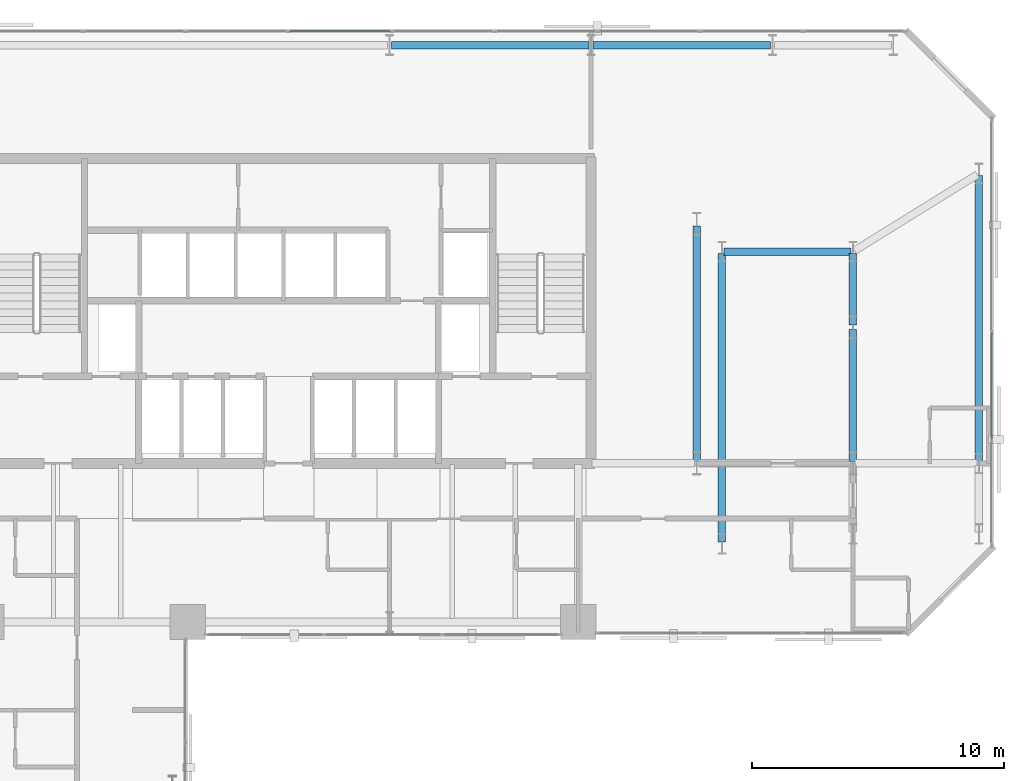
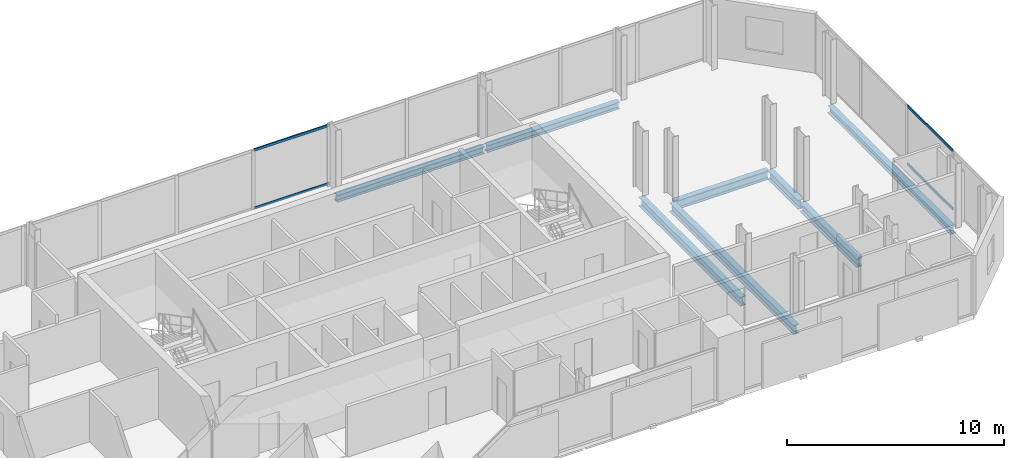
# One storey, part 24 of 33: 8 beams, 4 members, 2 elements without a shape of their own.
"""IFC4 building model written with IfcOpenShell, lengths in metres."""

import ifcopenshell
import ifcopenshell.guid

model = None  # the IFC model being written
_history = None  # IfcOwnerHistory: only IFC2X3 demands one
_inside = {}  # id of a spatial element -> (the spatial element, [elements in it])
_under = {}  # id of a project, library or spatial element -> (it, [spatial elements below it])
_declared = {}  # id of a project -> (the project, [libraries it declares])
_typed = {}  # id of a type object -> (the type object, [elements of that type])
_made_of = {}  # id of a material, layer set ... -> (it, [elements and type objects made of it])


def new_model(schema):
    """Start an empty IFC model of exactly this schema.

    Asked for "IFC4X3", IfcOpenShell would pick the latest addendum, in which some entities
    have other attributes; the version numbers below select the first issue.
    IFC2X3 requires an IfcOwnerHistory on every rooted entity: one is made here for all.
    """
    global model, _history
    if schema == "IFC4X3":
        model = ifcopenshell.file(schema_version=(4, 3, 0, 0))
    else:
        model = ifcopenshell.file(schema=schema)
    _inside.clear()
    _under.clear()
    _declared.clear()
    _typed.clear()
    _made_of.clear()
    _history = None
    if model.schema == "IFC2X3":
        org = make("IfcOrganization", Name="unknown")
        user = make(
            "IfcPersonAndOrganization",
            ThePerson=make("IfcPerson", FamilyName="unknown"),
            TheOrganization=org,
        )
        app = make(
            "IfcApplication",
            ApplicationDeveloper=org,
            Version="unknown",
            ApplicationFullName="unknown",
            ApplicationIdentifier="unknown",
        )
        _history = make(
            "IfcOwnerHistory",
            OwningUser=user,
            OwningApplication=app,
            ChangeAction="ADDED",
            CreationDate=0,
        )
    return model


def make(cls, **values):
    """One entity of the class cls with the attributes given. An attribute that is None is left unset."""
    return model.create_entity(
        cls, **{name: value for name, value in values.items() if value is not None}
    )


def rooted(cls, **values):
    """An entity with a GlobalId (a new one), such as an element, a storey or a relation."""
    return make(cls, GlobalId=ifcopenshell.guid.new(), OwnerHistory=_history, **values)


def si_unit(unit_type, name, prefix=None):
    """IfcSIUnit, for example si_unit("LENGTHUNIT", "METRE", prefix="MILLI")."""
    return make("IfcSIUnit", UnitType=unit_type, Prefix=prefix, Name=name)


def assignment(units):
    """IfcUnitAssignment: the units of a project."""
    return None if units is None else make("IfcUnitAssignment", Units=units)


def point(xyz):
    """IfcCartesianPoint."""
    return None if xyz is None else make("IfcCartesianPoint", Coordinates=xyz)


def direction(xyz):
    """IfcDirection."""
    return None if xyz is None else make("IfcDirection", DirectionRatios=xyz)


def frame(location, z_axis=None, x_axis=None):
    """IfcAxis2Placement3D, a coordinate frame: its origin and axes. An axis left out is left unset."""
    return make(
        "IfcAxis2Placement3D",
        Location=point(location),
        Axis=direction(z_axis),
        RefDirection=direction(x_axis),
    )


def frame_2d(location, x_axis=None):
    """IfcAxis2Placement2D, a coordinate frame in the plane: its origin and x axis."""
    return make(
        "IfcAxis2Placement2D", Location=point(location), RefDirection=direction(x_axis)
    )


def origin():
    """The frame at (0, 0, 0) with its axes left unset."""
    return frame((0.0, 0.0, 0.0))


def origin_2d():
    """The frame at (0, 0) in the plane with its x axis left unset."""
    return frame_2d((0.0, 0.0))


def place(relative_to, where):
    """IfcLocalPlacement: puts the frame where relative to a parent placement (None: the world)."""
    return make(
        "IfcLocalPlacement", PlacementRelTo=relative_to, RelativePlacement=where
    )


def context(
    kind, dimensions, precision=None, world=None, true_north=None, identifier=None
):
    """IfcGeometricRepresentationContext, for example the 3D "Model" context."""
    return make(
        "IfcGeometricRepresentationContext",
        ContextIdentifier=identifier,
        ContextType=kind,
        CoordinateSpaceDimension=dimensions,
        Precision=precision,
        WorldCoordinateSystem=world,
        TrueNorth=true_north,
    )


def subcontext(parent, identifier, kind, view, scale=None):
    """IfcGeometricRepresentationSubContext, for example "Body" below "Model"."""
    return make(
        "IfcGeometricRepresentationSubContext",
        ContextIdentifier=identifier,
        ContextType=kind,
        ParentContext=parent,
        TargetScale=scale,
        TargetView=view,
    )


def project(units=None, contexts=None):
    """IfcProject with its units and contexts."""
    return rooted(
        "IfcProject",
        Name="project",
        RepresentationContexts=contexts,
        UnitsInContext=assignment(units),
    )


def spatial(cls, under=None, at=None, **own):
    """A site, building, storey or space (cls), placed at a placement, below another one or the project."""
    s = rooted(cls, ObjectPlacement=at, **own)
    if under is not None:
        _under.setdefault(under.id(), (under, []))[1].append(s)
    return s


def profile(cls, at=None, kind="AREA", **sizes):
    """A parametric profile (cls). Its sizes go by their IFC names, for example OverallWidth=200.0."""
    return make(cls, ProfileType=kind, Position=at, **sizes)


def hollow_rectangle(**sizes):
    """IfcRectangleHollowProfileDef."""
    return profile("IfcRectangleHollowProfileDef", **sizes)


def i_section(**sizes):
    """IfcIShapeProfileDef."""
    return profile("IfcIShapeProfileDef", **sizes)


def extrude(swept, where, along, depth):
    """IfcExtrudedAreaSolid: the profile swept, set in the frame where, extruded along a direction by depth."""
    return make(
        "IfcExtrudedAreaSolid",
        SweptArea=swept,
        Position=where,
        ExtrudedDirection=direction(along),
        Depth=depth,
    )


def shape(context_of_items, identifier, shape_type, items):
    """IfcShapeRepresentation: the items that make up one representation, for example the "Body"."""
    return make(
        "IfcShapeRepresentation",
        ContextOfItems=context_of_items,
        RepresentationIdentifier=identifier,
        RepresentationType=shape_type,
        Items=items,
    )


def material(Name=None, Category=None):
    """IfcMaterial."""
    return make("IfcMaterial", Name=Name, Category=Category)


def layer(
    of_material, thickness, ventilated=None, Name=None, Category=None, Priority=None
):
    """IfcMaterialLayer: one layer of a wall or slab, of a material (None: an air gap)."""
    return make(
        "IfcMaterialLayer",
        Material=of_material,
        LayerThickness=thickness,
        IsVentilated=ventilated,
        Name=Name,
        Category=Category,
        Priority=Priority,
    )


def layer_set(layers, Name=None):
    """IfcMaterialLayerSet."""
    return make("IfcMaterialLayerSet", MaterialLayers=layers, LayerSetName=Name)


def material_profile(
    of_material, cross_section, Name=None, Category=None, Priority=None
):
    """IfcMaterialProfile: a cross section and its material."""
    return make(
        "IfcMaterialProfile",
        Name=Name,
        Material=of_material,
        Profile=cross_section,
        Priority=Priority,
        Category=Category,
    )


def profile_set(profiles, Name=None, composite=None):
    """IfcMaterialProfileSet."""
    return make(
        "IfcMaterialProfileSet",
        Name=Name,
        MaterialProfiles=profiles,
        CompositeProfile=composite,
    )


def made_of(thing, what):
    """Note that an element or type object is made of a material, layer set ...; save() writes the relation."""
    if what is not None:
        _made_of.setdefault(what.id(), (what, []))[1].append(thing)
    return thing


def type_object(cls, material=None, **own):
    """A type object (cls), such as IfcWallType, which elements share."""
    return made_of(rooted(cls, **own), material)


def element(
    cls,
    number,
    at=None,
    inside=None,
    cuts=None,
    type_object=None,
    material=None,
    context=None,
    identifier="Body",
    shape_type=None,
    held_by="IfcProductDefinitionShape",
    body=None,
    shapes=None,
    **own,
):
    """One element of the class cls, such as IfcWall. Its Tag is "e" and its number.

    at: its placement. inside: the storey or other place that contains it. cuts: it is an
    opening in that element (IfcRelVoidsElement). A single representation is given by context,
    identifier, shape_type and body (its items); several are given by shapes. held_by: the class
    of the entity that holds the representations. save() writes the other relations.
    """
    e = rooted(cls, Tag="e%d" % number, ObjectPlacement=at, **own)
    if body is not None:
        shapes = [shape(context, identifier, shape_type, body)]
    if shapes is not None:
        e.Representation = make(held_by, Representations=shapes)
    if inside is not None:
        _inside.setdefault(inside.id(), (inside, []))[1].append(e)
    if cuts is not None:
        rooted(
            "IfcRelVoidsElement", RelatingBuildingElement=cuts, RelatedOpeningElement=e
        )
    if type_object is not None:
        _typed.setdefault(type_object.id(), (type_object, []))[1].append(e)
    return made_of(e, material)


def aggregate(whole, parts):
    """IfcRelAggregates: a whole, such as a stair, and the parts it consists of."""
    return rooted("IfcRelAggregates", RelatingObject=whole, RelatedObjects=parts)


def save(model, path):
    """Write the relations noted so far, then the file.

    IfcRelAggregates (storeys below a building ...), IfcRelContainedInSpatialStructure (elements
    in a storey), IfcRelDefinesByType, IfcRelAssociatesMaterial and IfcRelDeclares: one each for
    every whole, place, type object, material and project.
    """
    for whole, parts in _under.values():
        aggregate(whole, parts)
    for where, things in _inside.values():
        rooted(
            "IfcRelContainedInSpatialStructure",
            RelatedElements=things,
            RelatingStructure=where,
        )
    for kind, things in _typed.values():
        rooted("IfcRelDefinesByType", RelatedObjects=things, RelatingType=kind)
    for what, things in _made_of.values():
        rooted("IfcRelAssociatesMaterial", RelatedObjects=things, RelatingMaterial=what)
    for by, libraries in _declared.values():
        rooted("IfcRelDeclares", RelatingContext=by, RelatedDefinitions=libraries)
    model.write(path)


model = new_model("IFC4")

# Units and contexts
model_context = context("Model", 3, precision=1e-05, world=origin(), true_north=direction((0.0, 1.0)))
body_context = subcontext(model_context, "Body", "Model", "MODEL_VIEW")
ifc_project = project(units=[si_unit("LENGTHUNIT", "METRE"), si_unit("AREAUNIT", "SQUARE_METRE"), si_unit("VOLUMEUNIT", "CUBIC_METRE"), si_unit("PLANEANGLEUNIT", "RADIAN"), si_unit("MASSUNIT", "GRAM", prefix="KILO")], contexts=[model_context])

# Site, building, storey
site_placement = place(None, origin())
site = spatial("IfcSite", under=ifc_project, at=site_placement, CompositionType="ELEMENT")
building_placement = place(site_placement, origin())
building = spatial("IfcBuilding", under=site, at=building_placement, Name="Catumbela Crestline Tower", CompositionType="ELEMENT")
storey_placement = place(building_placement, frame((0.0, 0.0, 51.0)))
storey = spatial("IfcBuildingStorey", under=building, at=storey_placement, Name="L12", CompositionType="ELEMENT", Elevation=51.0)

# Beams
ifc_material_1 = material(Name="Structural steel S355J2", Category="steel")
ifc_material_profile_1 = material_profile(ifc_material_1, i_section(OverallWidth=0.3, OverallDepth=0.5, WebThickness=0.0145, FlangeThickness=0.028, FilletRadius=0.027, at=origin_2d()), Name="HEB 500")
ifc_profile_set_1 = profile_set([ifc_material_profile_1], Name="Structural steel S355J2")
beam_type_1 = type_object("IfcBeamType", Name="BG-HEB500", PredefinedType="BEAM", material=ifc_profile_set_1)
beam_1_placement = place(storey_placement, frame((45.28, 39.2, -0.51), z_axis=(1.0, 0.0, 0.0), x_axis=(0.0, 1.0, 0.0)))
element("IfcBeam", 1, at=beam_1_placement, inside=storey, type_object=beam_type_1, Name="L12 Beam BM-L12-N17", PredefinedType="BEAM", context=body_context, shape_type="SweptSolid", body=[
    extrude(i_section(OverallWidth=0.3, OverallDepth=0.5, WebThickness=0.0145, FlangeThickness=0.028, FilletRadius=0.027, at=origin_2d()), origin(), (0.0, 0.0, 1.0), 5.04),
])
beam_2_placement = place(storey_placement, frame((44.2, 30.88, -0.51), z_axis=(0.0, 1.0, 0.0), x_axis=(-1.0, 0.0, 0.0)))
element("IfcBeam", 2, at=beam_2_placement, inside=storey, type_object=beam_type_1, Name="L12 Beam BM-L12-SN35", PredefinedType="BEAM", context=body_context, shape_type="SweptSolid", body=[
    extrude(i_section(OverallWidth=0.3, OverallDepth=0.5, WebThickness=0.0145, FlangeThickness=0.028, FilletRadius=0.027, at=origin_2d()), origin(), (0.0, 0.0, 1.0), 9.34),
])
beam_3_placement = place(storey_placement, frame((45.2, 27.68, -0.51), z_axis=(0.0, 1.0, 0.0), x_axis=(-1.0, 0.0, 0.0)))
element("IfcBeam", 3, at=beam_3_placement, inside=storey, type_object=beam_type_1, Name="L12 Beam BM-L12-SN36", PredefinedType="BEAM", context=body_context, shape_type="SweptSolid", body=[
    extrude(i_section(OverallWidth=0.3, OverallDepth=0.5, WebThickness=0.0145, FlangeThickness=0.028, FilletRadius=0.027, at=origin_2d()), origin(), (0.0, 0.0, 1.0), 11.44),
])
beam_4_placement = place(storey_placement, frame((50.4, 30.88, -0.51), z_axis=(0.0, 1.0, 0.0), x_axis=(-1.0, 0.0, 0.0)))
element("IfcBeam", 4, at=beam_4_placement, inside=storey, type_object=beam_type_1, Name="L12 Beam BM-L12-SN38", PredefinedType="BEAM", context=body_context, shape_type="SweptSolid", body=[
    extrude(i_section(OverallWidth=0.3, OverallDepth=0.5, WebThickness=0.0145, FlangeThickness=0.028, FilletRadius=0.027, at=origin_2d()), origin(), (0.0, 0.0, 1.0), 5.24),
])
beam_5_placement = place(storey_placement, frame((50.4, 36.28, -0.51), z_axis=(0.0, 1.0, 0.0), x_axis=(-1.0, 0.0, 0.0)))
element("IfcBeam", 5, at=beam_5_placement, inside=storey, type_object=beam_type_1, Name="L12 Beam BM-L12-SN39", PredefinedType="BEAM", context=body_context, shape_type="SweptSolid", body=[
    extrude(i_section(OverallWidth=0.3, OverallDepth=0.5, WebThickness=0.0145, FlangeThickness=0.028, FilletRadius=0.027, at=origin_2d()), origin(), (0.0, 0.0, 1.0), 2.84),
])
ifc_material_profile_2 = material_profile(ifc_material_1, i_section(OverallWidth=0.3, OverallDepth=0.39, WebThickness=0.011, FlangeThickness=0.019, FilletRadius=0.027, at=origin_2d()), Name="HEA 400")
ifc_profile_set_2 = profile_set([ifc_material_profile_2], Name="Structural steel S355J2")
beam_type_2 = type_object("IfcBeamType", Name="BS-HEA400", PredefinedType="SPANDREL", material=ifc_profile_set_2)
beam_6_placement = place(storey_placement, frame((32.08, 47.4, -0.455), z_axis=(1.0, 0.0, 0.0), x_axis=(0.0, 1.0, 0.0)))
element("IfcBeam", 6, at=beam_6_placement, inside=storey, type_object=beam_type_2, Name="L12 Spandrel SP-L12-NF22", PredefinedType="SPANDREL", context=body_context, shape_type="SweptSolid", body=[
    extrude(i_section(OverallWidth=0.3, OverallDepth=0.39, WebThickness=0.011, FlangeThickness=0.019, FilletRadius=0.027, at=origin_2d()), origin(), (0.0, 0.0, 1.0), 7.84),
])
beam_7_placement = place(storey_placement, frame((40.08, 47.4, -0.455), z_axis=(1.0, 0.0, 0.0), x_axis=(0.0, 1.0, 0.0)))
element("IfcBeam", 7, at=beam_7_placement, inside=storey, type_object=beam_type_2, Name="L12 Spandrel SP-L12-NF23", PredefinedType="SPANDREL", context=body_context, shape_type="SweptSolid", body=[
    extrude(i_section(OverallWidth=0.3, OverallDepth=0.39, WebThickness=0.011, FlangeThickness=0.019, FilletRadius=0.027, at=origin_2d()), origin(), (0.0, 0.0, 1.0), 7.04),
])
beam_8_placement = place(storey_placement, frame((55.4, 30.88, -0.455), z_axis=(0.0, 1.0, 0.0), x_axis=(-1.0, 0.0, 0.0)))
element("IfcBeam", 8, at=beam_8_placement, inside=storey, type_object=beam_type_2, Name="L12 Spandrel SP-L12-SN41", PredefinedType="SPANDREL", context=body_context, shape_type="SweptSolid", body=[
    extrude(i_section(OverallWidth=0.3, OverallDepth=0.39, WebThickness=0.011, FlangeThickness=0.019, FilletRadius=0.027, at=origin_2d()), origin(), (0.0, 0.0, 1.0), 11.34),
])

# Curtain wall, members
ifc_material_2 = material(Name="Aluminium alloy AW-6060-T66", Category="aluminium")
ifc_layer = layer(ifc_material_2, 0.18, Name="Aluminium alloy AW-6060-T66")
ifc_layer_set = layer_set([ifc_layer], Name="Aluminium alloy AW-6060-T66")
curtain_wall_type = type_object("IfcCurtainWallType", Name="CWU-Z1", PredefinedType="USERDEFINED", material=ifc_layer_set)
curtain_wall_1_placement = place(storey_placement, origin())
curtain_wall_1 = element("IfcCurtainWall", 9, at=curtain_wall_1_placement, inside=storey, type_object=curtain_wall_type, Name="L12 Unitised Curtain Wall CW-L12-E5S1", ObjectType="UNITISED", PredefinedType="USERDEFINED")
ifc_material_profile_3 = material_profile(ifc_material_2, hollow_rectangle(XDim=0.06, YDim=0.14, WallThickness=0.004, at=origin_2d()), Name="ALU 140x60x4")
ifc_profile_set_3 = profile_set([ifc_material_profile_3], Name="Aluminium alloy AW-6060-T66")
member_type = type_object("IfcMemberType", Name="TRN-140X60", PredefinedType="USERDEFINED", material=ifc_profile_set_3)
member_1_placement = place(storey_placement, frame((55.9, 31.7825, 0.03), z_axis=(0.0, 1.0, 0.0), x_axis=(-1.0, 0.0, 0.0)))
member_1 = element("IfcMember", 10, at=member_1_placement, type_object=member_type, Name="CWU-Z1 transom 2.1", ObjectType="TRANSOM", PredefinedType="USERDEFINED", context=body_context, shape_type="SweptSolid", body=[
    extrude(hollow_rectangle(XDim=0.06, YDim=0.14, WallThickness=0.004, at=origin_2d()), origin(), (0.0, 0.0, 1.0), 4.185),
])
member_2_placement = place(storey_placement, frame((55.9, 31.7825, 3.3), z_axis=(0.0, 1.0, 0.0), x_axis=(-1.0, 0.0, 0.0)))
member_2 = element("IfcMember", 11, at=member_2_placement, type_object=member_type, Name="CWU-Z1 transom 2.2", ObjectType="TRANSOM", PredefinedType="USERDEFINED", context=body_context, shape_type="SweptSolid", body=[
    extrude(hollow_rectangle(XDim=0.06, YDim=0.14, WallThickness=0.004, at=origin_2d()), origin(), (0.0, 0.0, 1.0), 4.185),
])
aggregate(curtain_wall_1, [member_1, member_2])

curtain_wall_2_placement = place(storey_placement, origin())
curtain_wall_2 = element("IfcCurtainWall", 12, at=curtain_wall_2_placement, inside=storey, type_object=curtain_wall_type, Name="L12 Unitised Curtain Wall CW-L12-E7S1", ObjectType="UNITISED", PredefinedType="USERDEFINED")
member_3_placement = place(storey_placement, frame((32.0508, 47.95, 0.03), z_axis=(-1.0, 0.0, 0.0), x_axis=(0.0, -1.0, 0.0)))
member_3 = element("IfcMember", 13, at=member_3_placement, type_object=member_type, Name="CWU-Z1 transom 6.1", ObjectType="TRANSOM", PredefinedType="USERDEFINED", context=body_context, shape_type="SweptSolid", body=[
    extrude(hollow_rectangle(XDim=0.06, YDim=0.14, WallThickness=0.004, at=origin_2d()), origin(), (0.0, 0.0, 1.0), 4.0183),
])
member_4_placement = place(storey_placement, frame((32.0508, 47.95, 3.3), z_axis=(-1.0, 0.0, 0.0), x_axis=(0.0, -1.0, 0.0)))
member_4 = element("IfcMember", 14, at=member_4_placement, type_object=member_type, Name="CWU-Z1 transom 6.2", ObjectType="TRANSOM", PredefinedType="USERDEFINED", context=body_context, shape_type="SweptSolid", body=[
    extrude(hollow_rectangle(XDim=0.06, YDim=0.14, WallThickness=0.004, at=origin_2d()), origin(), (0.0, 0.0, 1.0), 4.0183),
])
aggregate(curtain_wall_2, [member_3, member_4])

save(model, "model.ifc")
